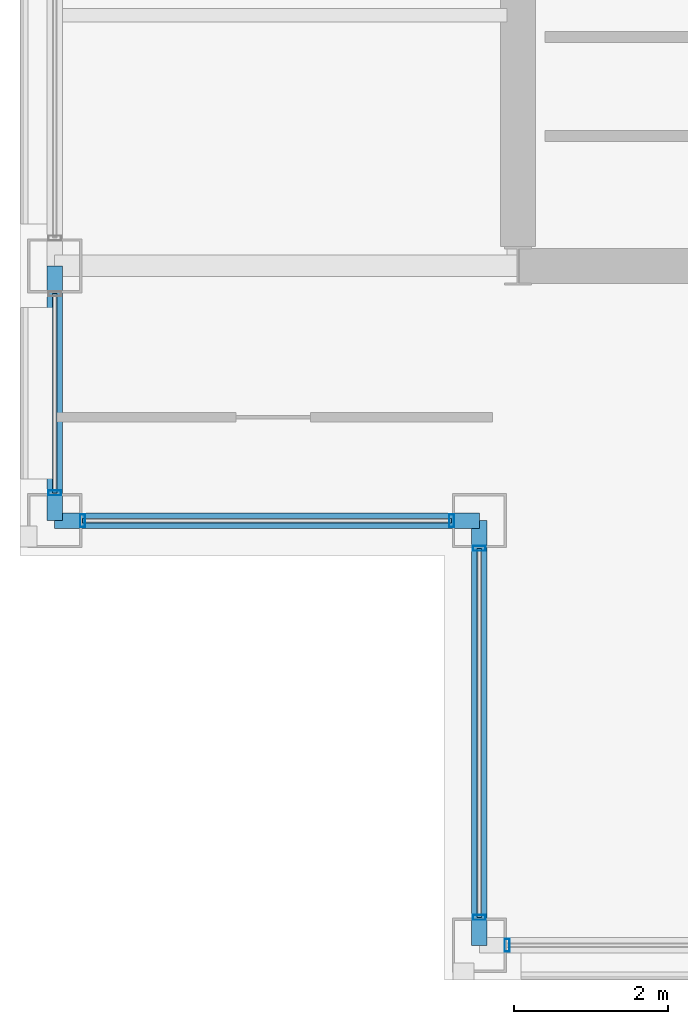
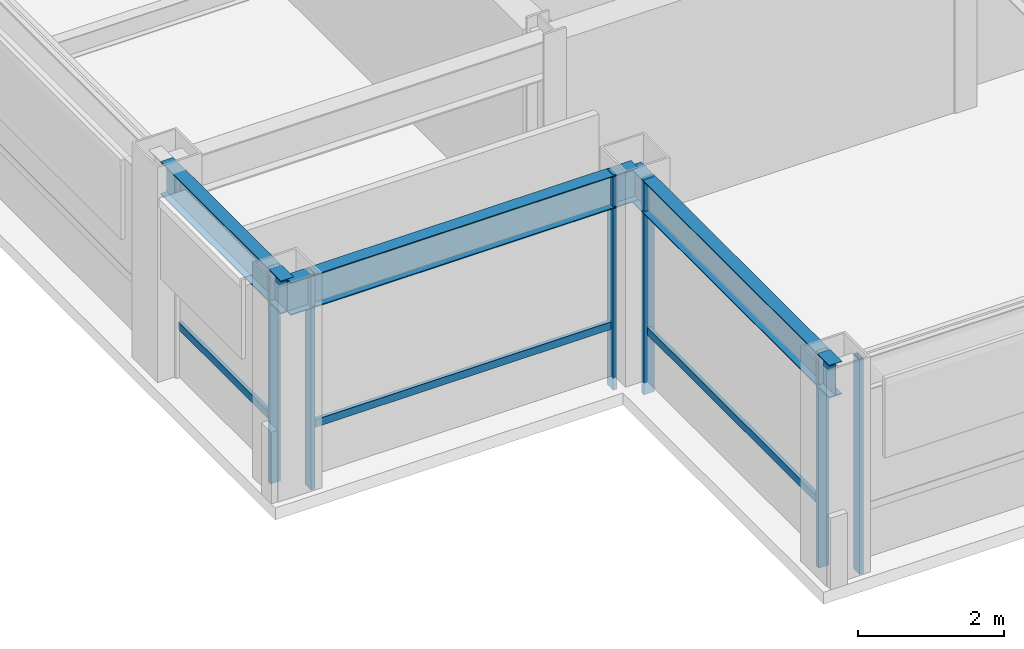
# One storey, part 2 of 26: 9 members, 3 beams, 4 elements without a shape of their own.
"""IFC4 building model written with IfcOpenShell, lengths in metres."""

from ifc_helpers import new_model, si_unit, direction, frame, origin, origin_2d, place, context, subcontext, project, spatial, hollow_rectangle, i_section, extrude, material, layer, layer_set, material_profile, profile_set, type_object, element, aggregate, save


model = new_model("IFC4")

# Units and contexts
model_context = context("Model", 3, precision=1e-05, world=origin(), true_north=direction((0.0, 1.0)))
body_context = subcontext(model_context, "Body", "Model", "MODEL_VIEW")
ifc_project = project(units=[si_unit("LENGTHUNIT", "METRE"), si_unit("AREAUNIT", "SQUARE_METRE"), si_unit("VOLUMEUNIT", "CUBIC_METRE"), si_unit("PLANEANGLEUNIT", "RADIAN"), si_unit("MASSUNIT", "GRAM", prefix="KILO")], contexts=[model_context])

# Site, building, storey
site_placement = place(None, origin())
site = spatial("IfcSite", under=ifc_project, at=site_placement, CompositionType="ELEMENT")
building_placement = place(site_placement, origin())
building = spatial("IfcBuilding", under=site, at=building_placement, Name="Brelmoor Portico Tower", CompositionType="ELEMENT")
storey_placement = place(building_placement, frame((0.0, 0.0, 205.5)))
storey = spatial("IfcBuildingStorey", under=building, at=storey_placement, Name="L54", CompositionType="ELEMENT", Elevation=205.5)

# Beams
ifc_material_1 = material(Name="Steel Q355B", Category="steel")
ifc_material_profile_1 = material_profile(ifc_material_1, i_section(OverallWidth=0.199951171875, OverallDepth=0.550048828125, WebThickness=0.010009765625, FlangeThickness=0.01611328125, at=origin_2d()), Name="HN 550x200x10x16")
ifc_profile_set_1 = profile_set([ifc_material_profile_1], Name="Steel Q355B")
beam_type = type_object("IfcBeamType", Name="BM-SP-550", PredefinedType="SPANDREL", material=ifc_profile_set_1)
beam_1_placement = place(storey_placement, frame((-20.550048828125, -13.050048828125, 3.125), z_axis=(1.0, 0.0, 0.0), x_axis=(0.0, 1.0, 0.0)))
element("IfcBeam", 1, at=beam_1_placement, inside=storey, type_object=beam_type, Name="L54 Perimeter Spandrel Beam SP-04", PredefinedType="SPANDREL", context=body_context, shape_type="SweptSolid", body=[
    extrude(i_section(OverallWidth=0.199951171875, OverallDepth=0.550048828125, WebThickness=0.010009765625, FlangeThickness=0.01611328125, at=origin_2d()), origin(), (0.0, 0.0, 1.0), 5.5),
])
beam_2_placement = place(storey_placement, frame((-20.550048828125, -13.050048828125, 3.125), z_axis=(0.0, 1.0, 0.0), x_axis=(-1.0, 0.0, 0.0)))
element("IfcBeam", 2, at=beam_2_placement, inside=storey, type_object=beam_type, Name="L54 Perimeter Spandrel Beam SP-11", PredefinedType="SPANDREL", context=body_context, shape_type="SweptSolid", body=[
    extrude(i_section(OverallWidth=0.199951171875, OverallDepth=0.550048828125, WebThickness=0.010009765625, FlangeThickness=0.01611328125, at=origin_2d()), origin(), (0.0, 0.0, 1.0), 3.300048828125),
])
beam_3_placement = place(storey_placement, frame((-15.050048828125, -18.550048828125, 3.125), z_axis=(0.0, 1.0, 0.0), x_axis=(-1.0, 0.0, 0.0)))
element("IfcBeam", 3, at=beam_3_placement, inside=storey, type_object=beam_type, Name="L54 Perimeter Spandrel Beam SP-14", PredefinedType="SPANDREL", context=body_context, shape_type="SweptSolid", body=[
    extrude(i_section(OverallWidth=0.199951171875, OverallDepth=0.550048828125, WebThickness=0.010009765625, FlangeThickness=0.01611328125, at=origin_2d()), origin(), (0.0, 0.0, 1.0), 5.5),
])

# Curtain wall, member
ifc_material_2 = material(Name="Anodised Aluminium Alloy 6063-T6", Category="aluminium")
ifc_layer_1 = layer(ifc_material_2, 0.179931640625)
ifc_layer_set_1 = layer_set([ifc_layer_1], Name="Anodised Aluminium Alloy 6063-T6")
curtain_wall_type_1 = type_object("IfcCurtainWallType", Name="CW-TOWER-Z3", PredefinedType="NOTDEFINED", material=ifc_layer_set_1)
curtain_wall_1_placement = place(storey_placement, origin())
curtain_wall_1 = element("IfcCurtainWall", 4, at=curtain_wall_1_placement, inside=storey, type_object=curtain_wall_type_1, Name="L54 Curtain Wall CW-L54-01-1", PredefinedType="NOTDEFINED")
ifc_material_profile_2 = material_profile(ifc_material_2, hollow_rectangle(XDim=0.06494140625, YDim=0.1650390625, WallThickness=0.00390625, at=origin_2d()), Name="ALU MULLION 65x165")
ifc_profile_set_2 = profile_set([ifc_material_profile_2], Name="Anodised Aluminium Alloy 6063-T6")
member_type_1 = type_object("IfcMemberType", Name="MB-CW-MULL-165", PredefinedType="MULLION", material=ifc_profile_set_2)
member_1_placement = place(storey_placement, frame((-14.68994140625, -18.550048828125, -0.199951171875), z_axis=(0.0, 0.0, 1.0), x_axis=(1.0, 0.0, 0.0)))
member_1 = element("IfcMember", 5, at=member_1_placement, type_object=member_type_1, Name="CW-L54-01-1 Mullion 00", PredefinedType="MULLION", context=body_context, shape_type="SweptSolid", body=[
    extrude(hollow_rectangle(XDim=0.06494140625, YDim=0.1650390625, WallThickness=0.00390625, at=origin_2d()), origin(), (0.0, 0.0, 1.0), 3.599853515625),
])
aggregate(curtain_wall_1, [member_1])

curtain_wall_2_placement = place(storey_placement, origin())
curtain_wall_2 = element("IfcCurtainWall", 6, at=curtain_wall_2_placement, inside=storey, type_object=curtain_wall_type_1, Name="L54 Curtain Wall CW-L54-03-1", PredefinedType="NOTDEFINED")
member_2_placement = place(storey_placement, frame((-20.550048828125, -12.68994140625, -0.199951171875), z_axis=(0.0, 0.0, 1.0), x_axis=(0.0, 1.0, 0.0)))
member_2 = element("IfcMember", 7, at=member_2_placement, type_object=member_type_1, Name="CW-L54-03-1 Mullion 00", PredefinedType="MULLION", context=body_context, shape_type="SweptSolid", body=[
    extrude(hollow_rectangle(XDim=0.06494140625, YDim=0.1650390625, WallThickness=0.00390625, at=origin_2d()), origin(), (0.0, 0.0, 1.0), 3.599853515625),
])

# Curtain wall, members
ifc_layer_2 = layer(ifc_material_2, 0.179931640625)
ifc_layer_set_2 = layer_set([ifc_layer_2], Name="Anodised Aluminium Alloy 6063-T6")
curtain_wall_type_2 = type_object("IfcCurtainWallType", Name="CW-NOTCH-CHAMFER", PredefinedType="NOTDEFINED", material=ifc_layer_set_2)
curtain_wall_3_placement = place(storey_placement, origin())
curtain_wall_3 = element("IfcCurtainWall", 8, at=curtain_wall_3_placement, inside=storey, type_object=curtain_wall_type_2, Name="L54 Curtain Wall CWN-L54-SWH", PredefinedType="NOTDEFINED")
member_3_placement = place(storey_placement, frame((-20.18994140625, -13.050048828125, -0.199951171875), z_axis=(0.0, 0.0, 1.0), x_axis=(1.0, 0.0, 0.0)))
member_3 = element("IfcMember", 9, at=member_3_placement, type_object=member_type_1, Name="CWN-L54-SWH Mullion 00", PredefinedType="MULLION", context=body_context, shape_type="SweptSolid", body=[
    extrude(hollow_rectangle(XDim=0.06494140625, YDim=0.1650390625, WallThickness=0.00390625, at=origin_2d()), origin(), (0.0, 0.0, 1.0), 3.599853515625),
])
member_4_placement = place(storey_placement, frame((-15.409912109375, -13.050048828125, -0.199951171875), z_axis=(0.0, 0.0, 1.0), x_axis=(1.0, 0.0, 0.0)))
member_4 = element("IfcMember", 10, at=member_4_placement, type_object=member_type_1, Name="CWN-L54-SWH Mullion 01", PredefinedType="MULLION", context=body_context, shape_type="SweptSolid", body=[
    extrude(hollow_rectangle(XDim=0.06494140625, YDim=0.1650390625, WallThickness=0.00390625, at=origin_2d()), origin(), (0.0, 0.0, 1.0), 3.599853515625),
])

curtain_wall_4_placement = place(storey_placement, origin())
curtain_wall_4 = element("IfcCurtainWall", 11, at=curtain_wall_4_placement, inside=storey, type_object=curtain_wall_type_2, Name="L54 Curtain Wall CWN-L54-SWV", PredefinedType="NOTDEFINED")
member_5_placement = place(storey_placement, frame((-15.050048828125, -18.18994140625, -0.199951171875), z_axis=(0.0, 0.0, 1.0), x_axis=(0.0, 1.0, 0.0)))
member_5 = element("IfcMember", 12, at=member_5_placement, type_object=member_type_1, Name="CWN-L54-SWV Mullion 00", PredefinedType="MULLION", context=body_context, shape_type="SweptSolid", body=[
    extrude(hollow_rectangle(XDim=0.06494140625, YDim=0.1650390625, WallThickness=0.00390625, at=origin_2d()), origin(), (0.0, 0.0, 1.0), 3.599853515625),
])
member_6_placement = place(storey_placement, frame((-15.050048828125, -13.409912109375, -0.199951171875), z_axis=(0.0, 0.0, 1.0), x_axis=(0.0, 1.0, 0.0)))
member_6 = element("IfcMember", 13, at=member_6_placement, type_object=member_type_1, Name="CWN-L54-SWV Mullion 01", PredefinedType="MULLION", context=body_context, shape_type="SweptSolid", body=[
    extrude(hollow_rectangle(XDim=0.06494140625, YDim=0.1650390625, WallThickness=0.00390625, at=origin_2d()), origin(), (0.0, 0.0, 1.0), 3.599853515625),
])

# Member
ifc_material_profile_3 = material_profile(ifc_material_2, hollow_rectangle(XDim=0.06005859375, YDim=0.125, WallThickness=0.00341796875, at=origin_2d()), Name="ALU TRANSOM 60x125")
ifc_profile_set_3 = profile_set([ifc_material_profile_3], Name="Anodised Aluminium Alloy 6063-T6")
member_type_2 = type_object("IfcMemberType", Name="MB-CW-TRAN-125", PredefinedType="USERDEFINED", material=ifc_profile_set_3)
member_7_placement = place(storey_placement, frame((-20.550048828125, -12.68994140625, 0.85009765625), z_axis=(0.0, 1.0, 0.0), x_axis=(-1.0, 0.0, 0.0)))
member_7 = element("IfcMember", 14, at=member_7_placement, type_object=member_type_2, Name="CW-L54-03-1 Transom 1-00", ObjectType="TRANSOM", PredefinedType="USERDEFINED", context=body_context, shape_type="SweptSolid", body=[
    extrude(hollow_rectangle(XDim=0.06005859375, YDim=0.125, WallThickness=0.00341796875, at=origin_2d()), origin(), (0.0, 0.0, 1.0), 2.579833984375),
])

aggregate(curtain_wall_2, [member_2, member_7])

member_8_placement = place(storey_placement, frame((-20.18994140625, -13.050048828125, 0.85009765625), z_axis=(1.0, 0.0, 0.0), x_axis=(0.0, 1.0, 0.0)))
member_8 = element("IfcMember", 15, at=member_8_placement, type_object=member_type_2, Name="CWN-L54-SWH Transom 1-00", ObjectType="TRANSOM", PredefinedType="USERDEFINED", context=body_context, shape_type="SweptSolid", body=[
    extrude(hollow_rectangle(XDim=0.06005859375, YDim=0.125, WallThickness=0.00341796875, at=origin_2d()), origin(), (0.0, 0.0, 1.0), 4.780029296875),
])

aggregate(curtain_wall_3, [member_3, member_4, member_8])

member_9_placement = place(storey_placement, frame((-15.050048828125, -18.18994140625, 0.85009765625), z_axis=(0.0, 1.0, 0.0), x_axis=(-1.0, 0.0, 0.0)))
member_9 = element("IfcMember", 16, at=member_9_placement, type_object=member_type_2, Name="CWN-L54-SWV Transom 1-00", ObjectType="TRANSOM", PredefinedType="USERDEFINED", context=body_context, shape_type="SweptSolid", body=[
    extrude(hollow_rectangle(XDim=0.06005859375, YDim=0.125, WallThickness=0.00341796875, at=origin_2d()), origin(), (0.0, 0.0, 1.0), 4.780029296875),
])

aggregate(curtain_wall_4, [member_5, member_6, member_9])

save(model, "model.ifc")
